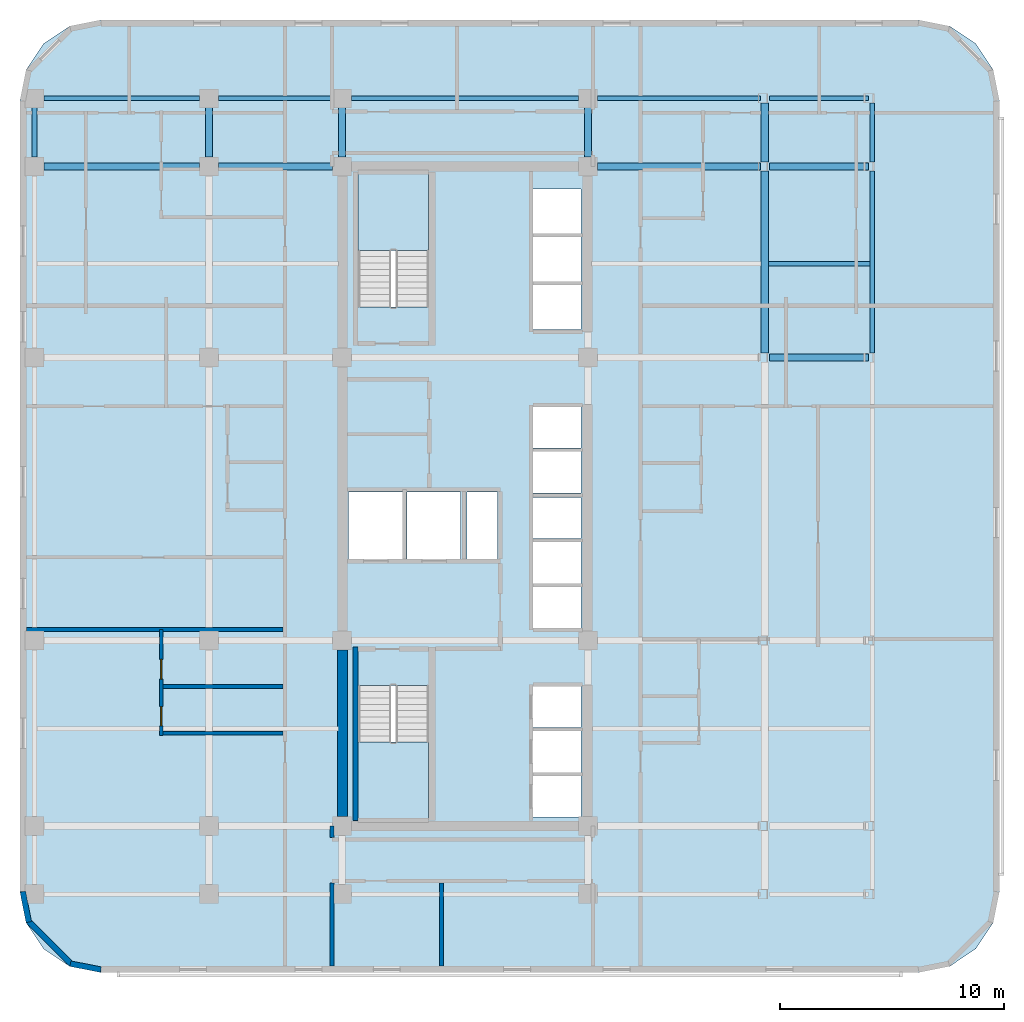
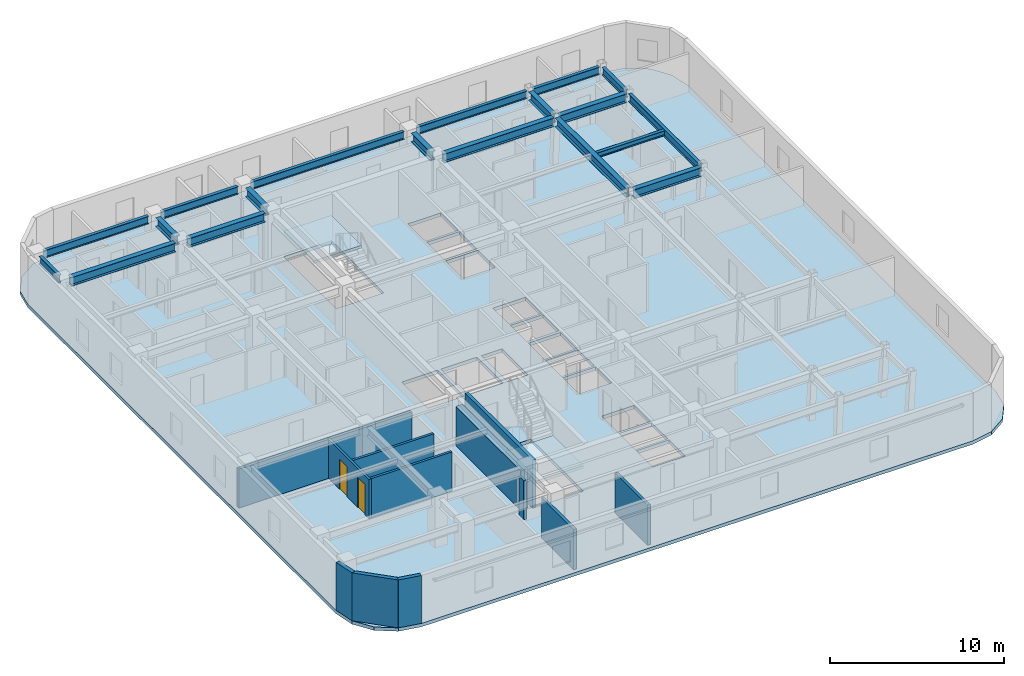
# One storey, part 2 of 11: 19 beams, 12 walls, 3 slabs, 2 doors, 2 openings, 2 elements without a shape of their own.
"""IFC4 building model written with IfcOpenShell, lengths in metres."""

from ifc_helpers import new_model, si_unit, direction, frame, frame_2d, origin, origin_2d, place, context, subcontext, project, spatial, polyline, rectangle, i_section, outline, extrude, material, layer, layer_set, material_profile, profile_set, type_object, element, fill, aggregate, save


model = new_model("IFC4")

# Units and contexts
model_context = context("Model", 3, precision=1e-05, world=origin(), true_north=direction((0.0, 1.0)))
body_context = subcontext(model_context, "Body", "Model", "MODEL_VIEW")
ifc_project = project(units=[si_unit("LENGTHUNIT", "METRE"), si_unit("AREAUNIT", "SQUARE_METRE"), si_unit("VOLUMEUNIT", "CUBIC_METRE"), si_unit("PLANEANGLEUNIT", "RADIAN"), si_unit("MASSUNIT", "GRAM", prefix="KILO")], contexts=[model_context])

# Site, building, storey
site_placement = place(None, origin())
site = spatial("IfcSite", under=ifc_project, at=site_placement, CompositionType="ELEMENT")
building_placement = place(site_placement, origin())
building = spatial("IfcBuilding", under=site, at=building_placement, Name="Ochreholt Gables", CompositionType="ELEMENT")
storey_placement = place(building_placement, frame((0.0, 0.0, 87.60009765625)))
storey = spatial("IfcBuildingStorey", under=building, at=storey_placement, Name="L22", CompositionType="ELEMENT", Elevation=87.60009765625)

# Beams
ifc_material_1 = material(Name="Steel CSA G40.21 350W", Category="steel")
ifc_material_profile_1 = material_profile(ifc_material_1, i_section(OverallWidth=0.323974609375, OverallDepth=0.611083984375, WebThickness=0.0126953125, FlangeThickness=0.01904296875, at=origin_2d()), Name="W610X155")
ifc_profile_set_1 = profile_set([ifc_material_profile_1], Name="Steel CSA G40.21 350W")
beam_type_1 = type_object("IfcBeamType", Name="BM-G-W610A", PredefinedType="BEAM", material=ifc_profile_set_1)
beam_1_placement = place(storey_placement, frame((43.33056640625, 30.199951171875, 3.054443359375), z_axis=(1.0, 0.0, 0.0), x_axis=(0.0, 1.0, 0.0)))
element("IfcBeam", 1, at=beam_1_placement, inside=storey, type_object=beam_type_1, Name="L22 Beam TBG-L22-EMEE-Y4", PredefinedType="BEAM", context=body_context, shape_type="SweptSolid", body=[
    extrude(i_section(OverallWidth=0.323974609375, OverallDepth=0.611083984375, WebThickness=0.0126953125, FlangeThickness=0.01904296875, at=origin_2d()), origin(), (0.0, 0.0, 1.0), 4.413330078125),
])
beam_2_placement = place(storey_placement, frame((10.87451171875, 38.75, 3.054443359375), z_axis=(1.0, 0.0, 0.0), x_axis=(0.0, 1.0, 0.0)))
element("IfcBeam", 2, at=beam_2_placement, inside=storey, type_object=beam_type_1, Name="L22 Beam TBG-L22-W2W3-Y5", PredefinedType="BEAM", context=body_context, shape_type="SweptSolid", body=[
    extrude(i_section(OverallWidth=0.323974609375, OverallDepth=0.611083984375, WebThickness=0.0126953125, FlangeThickness=0.01904296875, at=origin_2d()), origin(), (0.0, 0.0, 1.0), 6.950927734375),
])
beam_3_placement = place(storey_placement, frame((18.674560546875, 38.75, 3.054443359375), z_axis=(1.0, 0.0, 0.0), x_axis=(0.0, 1.0, 0.0)))
element("IfcBeam", 3, at=beam_3_placement, inside=storey, type_object=beam_type_1, Name="L22 Beam TBG-L22-W3C1-Y5", PredefinedType="BEAM", context=body_context, shape_type="SweptSolid", body=[
    extrude(i_section(OverallWidth=0.323974609375, OverallDepth=0.611083984375, WebThickness=0.0126953125, FlangeThickness=0.01904296875, at=origin_2d()), origin(), (0.0, 0.0, 1.0), 5.100830078125),
])
beam_4_placement = place(storey_placement, frame((35.62451171875, 38.75, 3.054443359375), z_axis=(1.0, 0.0, 0.0), x_axis=(0.0, 1.0, 0.0)))
element("IfcBeam", 4, at=beam_4_placement, inside=storey, type_object=beam_type_1, Name="L22 Beam TBG-L22-C2EM-Y5", PredefinedType="BEAM", context=body_context, shape_type="SweptSolid", body=[
    extrude(i_section(OverallWidth=0.323974609375, OverallDepth=0.611083984375, WebThickness=0.0126953125, FlangeThickness=0.01904296875, at=origin_2d()), origin(), (0.0, 0.0, 1.0), 7.30078125),
])
beam_5_placement = place(storey_placement, frame((43.33056640625, 38.75, 3.054443359375), z_axis=(1.0, 0.0, 0.0), x_axis=(0.0, 1.0, 0.0)))
element("IfcBeam", 5, at=beam_5_placement, inside=storey, type_object=beam_type_1, Name="L22 Beam TBG-L22-EMEE-Y5", PredefinedType="BEAM", context=body_context, shape_type="SweptSolid", body=[
    extrude(i_section(OverallWidth=0.323974609375, OverallDepth=0.611083984375, WebThickness=0.0126953125, FlangeThickness=0.01904296875, at=origin_2d()), origin(), (0.0, 0.0, 1.0), 4.413330078125),
])
for number, where, z_axis, x_axis, name in (
    (6, (18.25, 39.174560546875, 3.054443359375), (0.0, 1.0, 0.0), (-1.0, 0.0, 0.0), "L22 Beam TBN-L22-W3-Y5Y6"),
    (7, (24.199951171875, 39.174560546875, 3.054443359375), (0.0, 1.0, 0.0), (-1.0, 0.0, 0.0), "L22 Beam TBN-L22-C1-Y5Y6"),
    (8, (35.199951171875, 39.174560546875, 3.054443359375), (0.0, 1.0, 0.0), (-1.0, 0.0, 0.0), "L22 Beam TBN-L22-C2-Y5Y6"),
):
    element("IfcBeam", number, at=place(storey_placement, frame(where, z_axis=z_axis, x_axis=x_axis)), inside=storey, type_object=beam_type_1, Name=name, PredefinedType="BEAM", context=body_context, shape_type="SweptSolid", body=[
        extrude(i_section(OverallWidth=0.323974609375, OverallDepth=0.611083984375, WebThickness=0.0126953125, FlangeThickness=0.01904296875, at=origin_2d()), origin(), (0.0, 0.0, 1.0), 2.200927734375),
    ])
beam_6_placement = place(storey_placement, frame((43.11083984375, 30.402587890625, 3.054443359375), z_axis=(0.0, 1.0, 0.0), x_axis=(-1.0, 0.0, 0.0)))
element("IfcBeam", 9, at=beam_6_placement, inside=storey, type_object=beam_type_1, Name="L22 Beam TBN-L22-EM-Y4Y5", PredefinedType="BEAM", context=body_context, shape_type="SweptSolid", body=[
    extrude(i_section(OverallWidth=0.323974609375, OverallDepth=0.611083984375, WebThickness=0.0126953125, FlangeThickness=0.01904296875, at=origin_2d()), origin(), (0.0, 0.0, 1.0), 8.144775390625),
])
beam_7_placement = place(storey_placement, frame((43.11083984375, 38.95263671875, 3.054443359375), z_axis=(0.0, 1.0, 0.0), x_axis=(-1.0, 0.0, 0.0)))
element("IfcBeam", 10, at=beam_7_placement, inside=storey, type_object=beam_type_1, Name="L22 Beam TBN-L22-EM-Y5Y6", PredefinedType="BEAM", context=body_context, shape_type="SweptSolid", body=[
    extrude(i_section(OverallWidth=0.323974609375, OverallDepth=0.611083984375, WebThickness=0.0126953125, FlangeThickness=0.01904296875, at=origin_2d()), origin(), (0.0, 0.0, 1.0), 2.644775390625),
])
ifc_material_profile_2 = material_profile(ifc_material_1, i_section(OverallWidth=0.205078125, OverallDepth=0.35400390625, WebThickness=0.009521484375, FlangeThickness=0.016845703125, at=origin_2d()), Name="W360X79")
ifc_profile_set_2 = profile_set([ifc_material_profile_2], Name="Steel CSA G40.21 350W")
beam_type_2 = type_object("IfcBeamType", Name="BM-J-W360A", PredefinedType="JOIST", material=ifc_profile_set_2)
beam_8_placement = place(storey_placement, frame((43.2724609375, 34.39990234375, 3.182861328125), z_axis=(1.0, 0.0, 0.0), x_axis=(0.0, 1.0, 0.0)))
element("IfcBeam", 11, at=beam_8_placement, inside=storey, type_object=beam_type_2, Name="L22 Beam TBJ-L22-J2-EMEE", PredefinedType="JOIST", context=body_context, shape_type="SweptSolid", body=[
    extrude(i_section(OverallWidth=0.205078125, OverallDepth=0.35400390625, WebThickness=0.009521484375, FlangeThickness=0.016845703125, at=origin_2d()), origin(), (0.0, 0.0, 1.0), 4.54150390625),
])
ifc_material_profile_3 = material_profile(ifc_material_1, i_section(OverallWidth=0.208984375, OverallDepth=0.532958984375, WebThickness=0.01025390625, FlangeThickness=0.015625, at=origin_2d()), Name="W530X92")
ifc_profile_set_3 = profile_set([ifc_material_profile_3], Name="Steel CSA G40.21 350W")
beam_type_3 = type_object("IfcBeamType", Name="BM-SP-W530B", PredefinedType="SPANDREL", material=ifc_profile_set_3)
beam_9_placement = place(storey_placement, frame((10.87451171875, 41.800048828125, 3.093505859375), z_axis=(1.0, 0.0, 0.0), x_axis=(0.0, 1.0, 0.0)))
element("IfcBeam", 12, at=beam_9_placement, inside=storey, type_object=beam_type_3, Name="L22 Beam TBG-L22-W2W3-Y6", PredefinedType="SPANDREL", context=body_context, shape_type="SweptSolid", body=[
    extrude(i_section(OverallWidth=0.208984375, OverallDepth=0.532958984375, WebThickness=0.01025390625, FlangeThickness=0.015625, at=origin_2d()), origin(), (0.0, 0.0, 1.0), 6.950927734375),
])
beam_10_placement = place(storey_placement, frame((18.674560546875, 41.800048828125, 3.093505859375), z_axis=(1.0, 0.0, 0.0), x_axis=(0.0, 1.0, 0.0)))
element("IfcBeam", 13, at=beam_10_placement, inside=storey, type_object=beam_type_3, Name="L22 Beam TBG-L22-W3C1-Y6", PredefinedType="SPANDREL", context=body_context, shape_type="SweptSolid", body=[
    extrude(i_section(OverallWidth=0.208984375, OverallDepth=0.532958984375, WebThickness=0.01025390625, FlangeThickness=0.015625, at=origin_2d()), origin(), (0.0, 0.0, 1.0), 5.100830078125),
])
beam_11_placement = place(storey_placement, frame((24.62451171875, 41.800048828125, 3.093505859375), z_axis=(1.0, 0.0, 0.0), x_axis=(0.0, 1.0, 0.0)))
element("IfcBeam", 14, at=beam_11_placement, inside=storey, type_object=beam_type_3, Name="L22 Beam TBG-L22-C1C2-Y6", PredefinedType="SPANDREL", context=body_context, shape_type="SweptSolid", body=[
    extrude(i_section(OverallWidth=0.208984375, OverallDepth=0.532958984375, WebThickness=0.01025390625, FlangeThickness=0.015625, at=origin_2d()), origin(), (0.0, 0.0, 1.0), 10.15087890625),
])
beam_12_placement = place(storey_placement, frame((35.62451171875, 41.800048828125, 3.093505859375), z_axis=(1.0, 0.0, 0.0), x_axis=(0.0, 1.0, 0.0)))
element("IfcBeam", 15, at=beam_12_placement, inside=storey, type_object=beam_type_3, Name="L22 Beam TBG-L22-C2EM-Y6", PredefinedType="SPANDREL", context=body_context, shape_type="SweptSolid", body=[
    extrude(i_section(OverallWidth=0.208984375, OverallDepth=0.532958984375, WebThickness=0.01025390625, FlangeThickness=0.015625, at=origin_2d()), origin(), (0.0, 0.0, 1.0), 7.30078125),
])
beam_13_placement = place(storey_placement, frame((43.33056640625, 41.800048828125, 3.093505859375), z_axis=(1.0, 0.0, 0.0), x_axis=(0.0, 1.0, 0.0)))
element("IfcBeam", 16, at=beam_13_placement, inside=storey, type_object=beam_type_3, Name="L22 Beam TBG-L22-EMEE-Y6", PredefinedType="SPANDREL", context=body_context, shape_type="SweptSolid", body=[
    extrude(i_section(OverallWidth=0.208984375, OverallDepth=0.532958984375, WebThickness=0.01025390625, FlangeThickness=0.015625, at=origin_2d()), origin(), (0.0, 0.0, 1.0), 4.413330078125),
])
beam_14_placement = place(storey_placement, frame((10.449951171875, 39.174560546875, 3.093505859375), z_axis=(0.0, 1.0, 0.0), x_axis=(-1.0, 0.0, 0.0)))
element("IfcBeam", 17, at=beam_14_placement, inside=storey, type_object=beam_type_3, Name="L22 Beam TBN-L22-W2-Y5Y6", PredefinedType="SPANDREL", context=body_context, shape_type="SweptSolid", body=[
    extrude(i_section(OverallWidth=0.208984375, OverallDepth=0.532958984375, WebThickness=0.01025390625, FlangeThickness=0.015625, at=origin_2d()), origin(), (0.0, 0.0, 1.0), 2.200927734375),
])
beam_15_placement = place(storey_placement, frame((47.91796875, 30.402587890625, 3.093505859375), z_axis=(0.0, 1.0, 0.0), x_axis=(-1.0, 0.0, 0.0)))
element("IfcBeam", 18, at=beam_15_placement, inside=storey, type_object=beam_type_3, Name="L22 Beam TBN-L22-EE-Y4Y5", PredefinedType="SPANDREL", context=body_context, shape_type="SweptSolid", body=[
    extrude(i_section(OverallWidth=0.208984375, OverallDepth=0.532958984375, WebThickness=0.01025390625, FlangeThickness=0.015625, at=origin_2d()), origin(), (0.0, 0.0, 1.0), 8.144775390625),
])
beam_16_placement = place(storey_placement, frame((47.91796875, 38.95263671875, 3.093505859375), z_axis=(0.0, 1.0, 0.0), x_axis=(-1.0, 0.0, 0.0)))
element("IfcBeam", 19, at=beam_16_placement, inside=storey, type_object=beam_type_3, Name="L22 Beam TBN-L22-EE-Y5Y6", PredefinedType="SPANDREL", context=body_context, shape_type="SweptSolid", body=[
    extrude(i_section(OverallWidth=0.208984375, OverallDepth=0.532958984375, WebThickness=0.01025390625, FlangeThickness=0.015625, at=origin_2d()), origin(), (0.0, 0.0, 1.0), 2.644775390625),
])

# Stair, slab
ifc_material_2 = material(Name="Concrete 40 MPa", Category="concrete")
stair_type_1 = type_object("IfcStairType", Name="STAIR-CORE-ST-1", PredefinedType="HALF_TURN_STAIR", material=ifc_material_2)
stair_1_placement = place(storey_placement, origin())
stair_1 = element("IfcStair", 20, at=stair_1_placement, inside=storey, type_object=stair_type_1, Name="L22 Core Exit Stair 1", PredefinedType="HALF_TURN_STAIR")
ifc_layer_1 = layer(ifc_material_2, 0.199951171875, Name="Concrete 40 MPa")
ifc_layer_set_1 = layer_set([ifc_layer_1], Name="Concrete 40 MPa")
slab_type_1 = type_object("IfcSlabType", Name="LANDING-RC200", PredefinedType="LANDING", material=ifc_layer_set_1)
slab_1_placement = place(storey_placement, frame((0.0, 0.0, 1.599853515625)))
slab_1 = element("IfcSlab", 21, at=slab_1_placement, type_object=slab_type_1, Name="ST-1 landing 1", PredefinedType="LANDING", context=body_context, shape_type="SweptSolid", body=[
    extrude(outline(polyline([(24.919921875, 13.001953125), (24.919921875, 9.52001953125), (28.080078125, 9.52001953125), (28.080078125, 13.001953125), (24.919921875, 13.001953125)])), origin(), (0.0, 0.0, 1.0), 0.199951171875),
])
aggregate(stair_1, [slab_1])

stair_type_2 = type_object("IfcStairType", Name="STAIR-CORE-ST-2", PredefinedType="HALF_TURN_STAIR", material=ifc_material_2)
stair_2_placement = place(storey_placement, origin())
stair_2 = element("IfcStair", 22, at=stair_2_placement, inside=storey, type_object=stair_type_2, Name="L22 Core Exit Stair 2", PredefinedType="HALF_TURN_STAIR")
slab_2_placement = place(storey_placement, frame((0.0, 0.0, 1.599853515625)))
slab_2 = element("IfcSlab", 23, at=slab_2_placement, type_object=slab_type_1, Name="ST-2 landing 1", PredefinedType="LANDING", context=body_context, shape_type="SweptSolid", body=[
    extrude(outline(polyline([(28.080078125, 34.998046875), (28.080078125, 38.47998046875), (24.919921875, 38.47998046875), (24.919921875, 34.998046875), (28.080078125, 34.998046875)])), origin(), (0.0, 0.0, 1.0), 0.199951171875),
])
aggregate(stair_2, [slab_2])

# Slab
ifc_layer_2 = layer(ifc_material_2, 0.239990234375, Name="Concrete 40 MPa")
ifc_layer_set_2 = layer_set([ifc_layer_2], Name="Concrete 40 MPa")
slab_type_2 = type_object("IfcSlabType", Name="SLAB-TWR-240", PredefinedType="FLOOR", material=ifc_layer_set_2)
slab_3_placement = place(storey_placement, frame((0.0, 0.0, -0.239990234375)))
element("IfcSlab", 24, at=slab_3_placement, inside=storey, type_object=slab_type_2, Name="L22 Structural Floor Slab", PredefinedType="FLOOR", context=body_context, shape_type="SweptSolid", body=[
    extrude(outline(polyline([(9.800048828125, 6.300048828125), (10.073974609375, 4.92236328125), (10.8544921875, 3.75439453125), (12.022216796875, 2.97412109375), (13.39990234375, 2.699951171875), (50.0, 2.699951171875), (51.377685546875, 2.97412109375), (52.545654296875, 3.75439453125), (53.325927734375, 4.92236328125), (53.60009765625, 6.300048828125), (53.60009765625, 41.699951171875), (53.325927734375, 43.07763671875), (52.545654296875, 44.24560546875), (51.377685546875, 45.02587890625), (50.0, 45.300048828125), (13.39990234375, 45.300048828125), (12.022216796875, 45.02587890625), (10.8544921875, 44.24560546875), (10.073974609375, 43.07763671875), (9.800048828125, 41.699951171875), (9.800048828125, 6.300048828125)]), holes=[polyline([(24.919921875, 15.539306640625), (24.919921875, 9.52001953125), (28.080078125, 9.52001953125), (28.080078125, 15.539306640625), (24.919921875, 15.539306640625)]), polyline([(28.080078125, 32.460693359375), (28.080078125, 38.47998046875), (24.919921875, 38.47998046875), (24.919921875, 32.460693359375), (28.080078125, 32.460693359375)]), polyline([(24.5, 21.199951171875), (26.89990234375, 21.199951171875), (26.89990234375, 24.199951171875), (24.5, 24.199951171875), (24.5, 21.199951171875)]), polyline([(27.10009765625, 21.199951171875), (29.5, 21.199951171875), (29.5, 24.199951171875), (27.10009765625, 24.199951171875), (27.10009765625, 21.199951171875)]), polyline([(32.75, 9.64990234375), (34.89990234375, 9.64990234375), (34.89990234375, 11.5), (32.75, 11.5), (32.75, 9.64990234375)]), polyline([(32.75, 11.64990234375), (34.89990234375, 11.64990234375), (34.89990234375, 13.5), (32.75, 13.5), (32.75, 11.64990234375)]), polyline([(32.75, 13.64990234375), (34.89990234375, 13.64990234375), (34.89990234375, 15.5), (32.75, 15.5), (32.75, 13.64990234375)]), polyline([(32.75, 18.10009765625), (34.89990234375, 18.10009765625), (34.89990234375, 19.949951171875), (32.75, 19.949951171875), (32.75, 18.10009765625)]), polyline([(32.75, 20.10009765625), (34.89990234375, 20.10009765625), (34.89990234375, 21.949951171875), (32.75, 21.949951171875), (32.75, 20.10009765625)]), polyline([(32.75, 22.10009765625), (34.89990234375, 22.10009765625), (34.89990234375, 23.949951171875), (32.75, 23.949951171875), (32.75, 22.10009765625)]), polyline([(32.75, 24.14990234375), (34.89990234375, 24.14990234375), (34.89990234375, 26.0), (32.75, 26.0), (32.75, 24.14990234375)]), polyline([(32.75, 26.14990234375), (34.89990234375, 26.14990234375), (34.89990234375, 28.0), (32.75, 28.0), (32.75, 26.14990234375)]), polyline([(32.75, 31.449951171875), (34.89990234375, 31.449951171875), (34.89990234375, 33.449951171875), (32.75, 33.449951171875), (32.75, 31.449951171875)]), polyline([(32.75, 33.60009765625), (34.89990234375, 33.60009765625), (34.89990234375, 35.60009765625), (32.75, 35.60009765625), (32.75, 33.60009765625)]), polyline([(32.75, 35.75), (34.89990234375, 35.75), (34.89990234375, 37.75), (32.75, 37.75), (32.75, 35.75)]), polyline([(29.800048828125, 21.199951171875), (31.14990234375, 21.199951171875), (31.14990234375, 24.199951171875), (29.800048828125, 24.199951171875), (29.800048828125, 21.199951171875)])]), origin(), (0.0, 0.0, 1.0), 0.239990234375),
])

# Walls
ifc_material_3 = material(Name="Concrete 60 MPa", Category="concrete")
ifc_layer_3 = layer(ifc_material_3, 0.449951171875, Name="Concrete 60 MPa")
ifc_layer_set_3 = layer_set([ifc_layer_3], Name="Concrete 60 MPa")
wall_type_1 = type_object("IfcWallType", Name="WALL-CSW-450", PredefinedType="SHEAR", material=ifc_layer_set_3)
wall_1_placement = place(storey_placement, frame((24.22509765625, 9.675048828125, 0.0), z_axis=(0.0, 0.0, 1.0), x_axis=(0.0, 1.0, 0.0)))
element("IfcWall", 25, at=wall_1_placement, inside=storey, type_object=wall_type_1, Name="L22 Core West Shear Wall WS", PredefinedType="SHEAR", context=body_context, shape_type="SweptSolid", body=[
    extrude(rectangle(XDim=7.449951171875, YDim=0.449951171875, at=frame_2d((3.72509765625, 0.0))), origin(), (0.0, 0.0, 1.0), 2.7490234375),
])
ifc_material_4 = material(Name="Precast concrete 40 MPa", Category="concrete")
ifc_layer_4 = layer(ifc_material_4, 0.25, Name="Precast concrete 40 MPa")
ifc_layer_set_4 = layer_set([ifc_layer_4], Name="Precast concrete 40 MPa")
wall_type_2 = type_object("IfcWallType", Name="WALL-EXT-CNR", PredefinedType="SOLIDWALL", material=ifc_layer_set_4)
wall_2_placement = place(storey_placement, frame((9.92431640625, 6.31640625, 0.0), z_axis=(0.0, 0.0, 1.0), x_axis=(0.195000137217, -0.980803214965, 0.0)))
element("IfcWall", 26, at=wall_2_placement, inside=storey, type_object=wall_type_2, Name="L22 Rounded Corner Wall SW-1", PredefinedType="SOLIDWALL", context=body_context, shape_type="SweptSolid", body=[
    extrude(rectangle(XDim=1.388427734375, YDim=0.25, at=frame_2d((0.6943359375, 0.0))), origin(), (0.0, 0.0, 1.0), 3.35986328125),
])
wall_3_placement = place(storey_placement, frame((10.16796875, 5.0048828125, 0.0), z_axis=(0.0, 0.0, 1.0), x_axis=(0.707151344399, -0.707062215165, 0.0)))
element("IfcWall", 27, at=wall_3_placement, inside=storey, type_object=wall_type_2, Name="L22 Rounded Corner Wall SW-2", PredefinedType="SOLIDWALL", context=body_context, shape_type="SweptSolid", body=[
    extrude(rectangle(XDim=2.7392578125, YDim=0.25, at=frame_2d((1.36962890625, 0.0))), origin(), (0.0, 0.0, 1.0), 3.35986328125),
])
wall_4_placement = place(storey_placement, frame((12.054443359375, 3.094970703125, 0.0), z_axis=(0.0, 0.0, 1.0), x_axis=(0.980809899341, -0.19496651342, 0.0)))
element("IfcWall", 28, at=wall_4_placement, inside=storey, type_object=wall_type_2, Name="L22 Rounded Corner Wall SW-3", PredefinedType="SOLIDWALL", context=body_context, shape_type="SweptSolid", body=[
    extrude(rectangle(XDim=1.388671875, YDim=0.25, at=frame_2d((0.6943359375, 0.0))), origin(), (0.0, 0.0, 1.0), 3.35986328125),
])
ifc_material_5 = material(Name="Fire-Rated Gypsum Acoustic Partition", Category="gypsum")
ifc_layer_5 = layer(ifc_material_5, 0.179931640625, Name="Fire-Rated Gypsum Acoustic Partition")
ifc_layer_set_5 = layer_set([ifc_layer_5], Name="Fire-Rated Gypsum Acoustic Partition")
wall_type_3 = type_object("IfcWallType", Name="WALL-INT-CR180", PredefinedType="STANDARD", material=ifc_layer_set_5)
wall_5_placement = place(storey_placement, frame((23.75, 8.739990234375, 0.0), z_axis=(0.0, 0.0, 1.0), x_axis=(0.0, 1.0, 0.0)))
element("IfcWall", 29, at=wall_5_placement, inside=storey, type_object=wall_type_3, Name="L22 Interior Wall WI-C1SWA2-L22", PredefinedType="STANDARD", context=body_context, shape_type="SweptSolid", body=[
    extrude(rectangle(XDim=0.510009765625, YDim=0.179931640625, at=frame_2d((0.2548828125, 0.0))), origin(), (0.0, 0.0, 1.0), 2.73095703125),
])
ifc_material_6 = material(Name="Double-Stud Acoustic Demising Wall", Category="gypsum")
ifc_layer_6 = layer(ifc_material_6, 0.179931640625, Name="Double-Stud Acoustic Demising Wall")
ifc_layer_set_6 = layer_set([ifc_layer_6], Name="Double-Stud Acoustic Demising Wall")
wall_type_4 = type_object("IfcWallType", Name="WALL-INT-DM180", PredefinedType="PARTITIONING", material=ifc_layer_set_6)
wall_6_placement = place(storey_placement, frame((10.080078125, 18.035888671875, 0.0), z_axis=(0.0, 0.0, 1.0), x_axis=(1.0, 0.0, 0.0)))
element("IfcWall", 30, at=wall_6_placement, inside=storey, type_object=wall_type_4, Name="L22 Interior Wall WI-UDW2-L22", PredefinedType="PARTITIONING", context=body_context, shape_type="SweptSolid", body=[
    extrude(rectangle(XDim=11.47998046875, YDim=0.179931640625, at=frame_2d((5.739990234375, 0.0))), origin(), (0.0, 0.0, 1.0), 2.73095703125),
])
for number, where, z_axis, x_axis, name in (
    (31, (23.75, 2.97998046875, 0.0), (0.0, 0.0, 1.0), (0.0, 1.0, 0.0), "L22 Interior Wall WI-C1SWA-L22"),
    (32, (28.6513671875, 2.97998046875, 0.0), (0.0, 0.0, 1.0), (0.0, 1.0, 0.0), "L22 Interior Wall WI-UDS1-L22"),
):
    element("IfcWall", number, at=place(storey_placement, frame(where, z_axis=z_axis, x_axis=x_axis)), inside=storey, type_object=wall_type_4, Name=name, PredefinedType="PARTITIONING", context=body_context, shape_type="SweptSolid", body=[
        extrude(rectangle(XDim=3.72998046875, YDim=0.179931640625, at=frame_2d((1.864990234375, 0.0))), origin(), (0.0, 0.0, 1.0), 2.808837890625),
    ])
ifc_material_7 = material(Name="Moisture-Resistant Plumbing Chase Wall", Category="gypsum")
ifc_layer_7 = layer(ifc_material_7, 0.159912109375, Name="Moisture-Resistant Plumbing Chase Wall")
ifc_layer_set_7 = layer_set([ifc_layer_7], Name="Moisture-Resistant Plumbing Chase Wall")
wall_type_5 = type_object("IfcWallType", Name="WALL-INT-PL160", PredefinedType="PLUMBINGWALL", material=ifc_layer_set_7)
wall_7_placement = place(storey_placement, frame((16.030029296875, 13.39599609375, 0.0), z_axis=(0.0, 0.0, 1.0), x_axis=(1.0, 0.0, 0.0)))
element("IfcWall", 33, at=wall_7_placement, inside=storey, type_object=wall_type_5, Name="L22 Interior Wall WU-L22W1-WYS", PredefinedType="PLUMBINGWALL", context=body_context, shape_type="SweptSolid", body=[
    extrude(rectangle(XDim=5.530029296875, YDim=0.159912109375, at=frame_2d((2.76513671875, 0.0))), origin(), (0.0, 0.0, 1.0), 2.73095703125),
])

# Wall, openings, doors
wall_8_placement = place(storey_placement, frame((16.110107421875, 13.305908203125, 0.0), z_axis=(0.0, 0.0, 1.0), x_axis=(0.0, 1.0, 0.0)))
wall_8 = element("IfcWall", 34, at=wall_8_placement, inside=storey, type_object=wall_type_5, Name="L22 Interior Wall WU-L22W1-WX", PredefinedType="PLUMBINGWALL", context=body_context, shape_type="SweptSolid", body=[
    extrude(rectangle(XDim=4.72998046875, YDim=0.159912109375, at=frame_2d((2.364990234375, 0.0))), origin(), (0.0, 0.0, 1.0), 2.73095703125),
])
opening_1_placement = place(wall_8_placement, frame((0.419921875, 0.0, 0.0)))
opening_1 = element("IfcOpeningElement", 35, at=opening_1_placement, cuts=wall_8, Name="Opening D-BT1", PredefinedType="OPENING", context=body_context, shape_type="SweptSolid", body=[
    extrude(rectangle(XDim=0.860107421875, YDim=2.1201171875, at=frame_2d((0.43017578125, 1.06005859375))), frame((0.0, 0.08984375, 0.0), z_axis=(0.0, -1.0, 0.0), x_axis=(1.0, 0.0, 0.0)), (0.0, 0.0, 1.0), 0.179931640625),
])
opening_2_placement = place(wall_8_placement, frame((2.512939453125, 0.0, 0.0)))
opening_2 = element("IfcOpeningElement", 36, at=opening_2_placement, cuts=wall_8, Name="Opening D-GN2", PredefinedType="OPENING", context=body_context, shape_type="SweptSolid", body=[
    extrude(rectangle(XDim=0.8798828125, YDim=2.1201171875, at=frame_2d((0.43994140625, 1.06005859375))), frame((0.0, 0.08984375, 0.0), z_axis=(0.0, -1.0, 0.0), x_axis=(1.0, 0.0, 0.0)), (0.0, 0.0, 1.0), 0.179931640625),
])
ifc_material_8 = material(Name="Engineered Oak Timber", Category="wood")
door_type_1 = type_object("IfcDoorType", Name="DR-INT-BTH860", OperationType="NOTDEFINED", PredefinedType="DOOR", material=ifc_material_8)
door_1_placement = place(opening_1_placement, origin())
door_1 = element("IfcDoor", 37, at=door_1_placement, inside=storey, type_object=door_type_1, Name="L22 Door D-U-L22W1-BTH", OperationType="SINGLE_SWING_RIGHT", OverallHeight=2.1201171875, OverallWidth=0.860107421875, PredefinedType="DOOR", context=body_context, shape_type="SweptSolid", body=[
    extrude(rectangle(XDim=0.860107421875, YDim=2.1201171875, at=frame_2d((0.43017578125, 1.06005859375))), frame((0.0, 0.02490234375, 0.0), z_axis=(0.0, -1.0, 0.0), x_axis=(1.0, 0.0, 0.0)), (0.0, 0.0, 1.0), 0.050048828125),
])
fill(opening_1, door_1)
door_type_2 = type_object("IfcDoorType", Name="DR-INT-GEN880", OperationType="NOTDEFINED", PredefinedType="DOOR", material=ifc_material_8)
door_2_placement = place(opening_2_placement, origin())
door_2 = element("IfcDoor", 38, at=door_2_placement, inside=storey, type_object=door_type_2, Name="L22 Door D-U-L22W1-KIT", OperationType="SINGLE_SWING_LEFT", OverallHeight=2.1201171875, OverallWidth=0.8798828125, PredefinedType="DOOR", context=body_context, shape_type="SweptSolid", body=[
    extrude(rectangle(XDim=0.8798828125, YDim=2.1201171875, at=frame_2d((0.43994140625, 1.06005859375))), frame((0.0, 0.02490234375, 0.0), z_axis=(0.0, -1.0, 0.0), x_axis=(1.0, 0.0, 0.0)), (0.0, 0.0, 1.0), 0.050048828125),
])
fill(opening_2, door_2)

# Walls
wall_9_placement = place(storey_placement, frame((16.18994140625, 15.489013671875, 0.0), z_axis=(0.0, 0.0, 1.0), x_axis=(1.0, 0.0, 0.0)))
element("IfcWall", 39, at=wall_9_placement, inside=storey, type_object=wall_type_5, Name="L22 Interior Wall WU-L22W1-WM", PredefinedType="PLUMBINGWALL", context=body_context, shape_type="SweptSolid", body=[
    extrude(rectangle(XDim=5.3701171875, YDim=0.159912109375, at=frame_2d((2.68505859375, 0.0))), origin(), (0.0, 0.0, 1.0), 2.73095703125),
])
ifc_material_9 = material(Name="Concrete 50 MPa", Category="concrete")
ifc_layer_8 = layer(ifc_material_9, 0.219970703125, Name="Concrete 50 MPa")
ifc_layer_set_8 = layer_set([ifc_layer_8], Name="Concrete 50 MPa")
wall_type_6 = type_object("IfcWallType", Name="WALL-STW-220", PredefinedType="SHEAR", material=ifc_layer_set_8)
wall_10_placement = place(storey_placement, frame((24.81005859375, 9.5, 0.0), z_axis=(0.0, 0.0, 1.0), x_axis=(0.0, 1.0, 0.0)))
element("IfcWall", 40, at=wall_10_placement, inside=storey, type_object=wall_type_6, Name="L22 Exit Stair 1 West Wall", PredefinedType="SHEAR", context=body_context, shape_type="SweptSolid", body=[
    extrude(rectangle(XDim=7.760009765625, YDim=0.219970703125, at=frame_2d((3.8798828125, 0.0))), origin(), (0.0, 0.0, 1.0), 3.35986328125),
])

save(model, "model.ifc")
